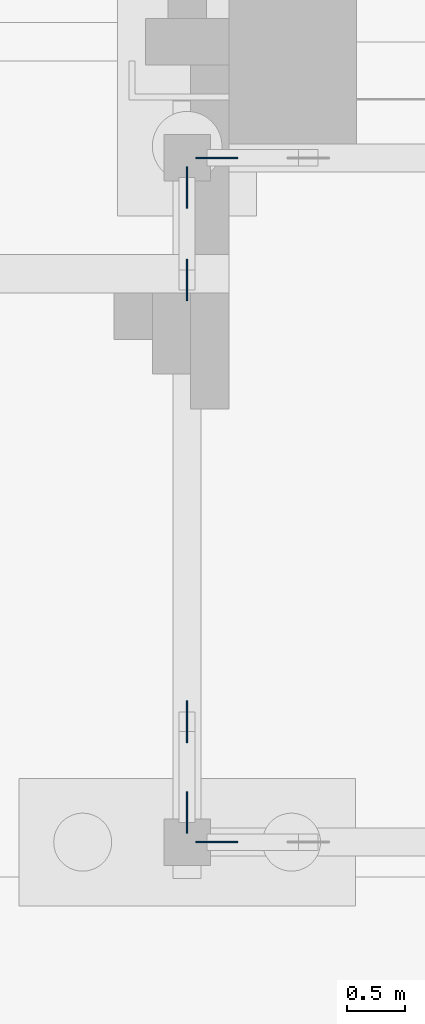
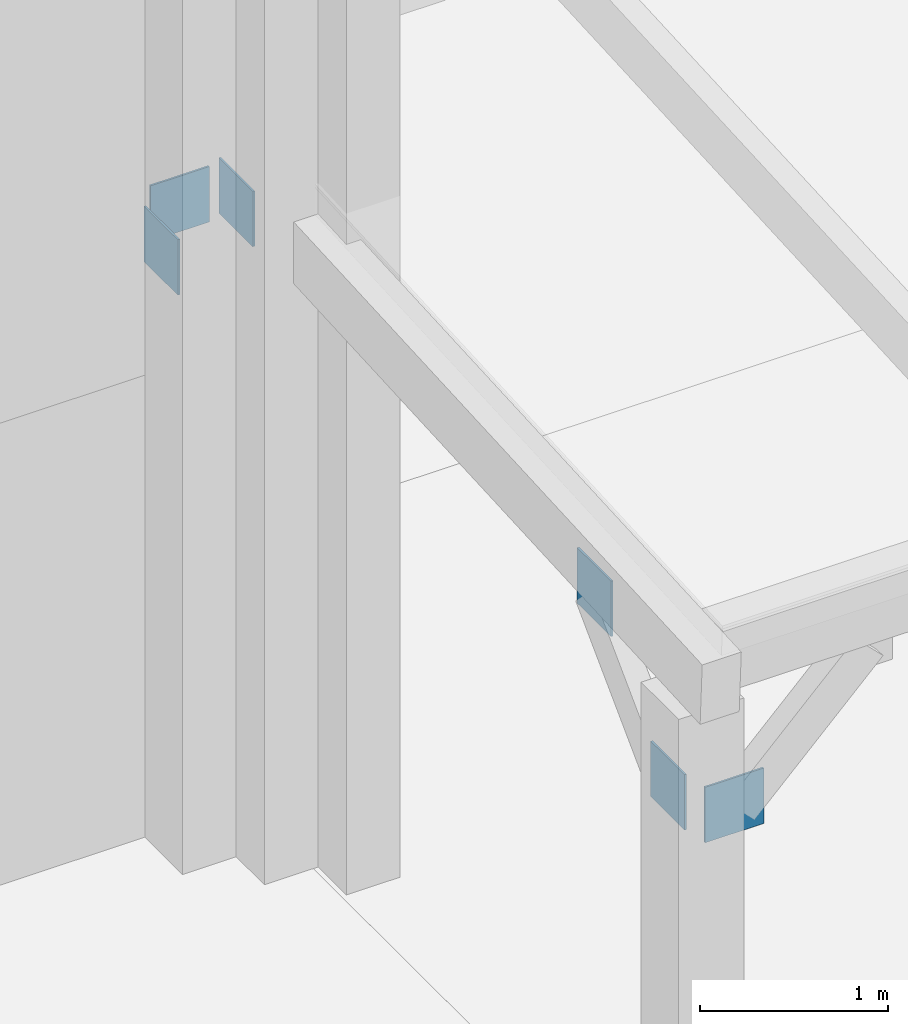
# One storey, part 45 of 84: 6 discrete accessories.
"""IFC4 building model written with IfcOpenShell, lengths in metres."""

from ifc_helpers import new_model, si_unit, direction, frame, origin, origin_2d, place, context, subcontext, project, spatial, rectangle, extrude, material, type_object, element, save


model = new_model("IFC4")

# Units and contexts
model_context = context("Model", 3, precision=1e-05, world=origin(), true_north=direction((0.0, 1.0)))
body_context = subcontext(model_context, "Body", "Model", "MODEL_VIEW")
ifc_project = project(units=[si_unit("LENGTHUNIT", "METRE"), si_unit("AREAUNIT", "SQUARE_METRE"), si_unit("VOLUMEUNIT", "CUBIC_METRE"), si_unit("PLANEANGLEUNIT", "RADIAN"), si_unit("MASSUNIT", "GRAM", prefix="KILO")], contexts=[model_context])

# Site, building, storey
site_placement = place(None, origin())
site = spatial("IfcSite", under=ifc_project, at=site_placement, CompositionType="ELEMENT")
building_placement = place(site_placement, origin())
building = spatial("IfcBuilding", under=site, at=building_placement, Name="Mazhai Court Health Centre", CompositionType="ELEMENT")
storey_placement = place(building_placement, origin())
storey = spatial("IfcBuildingStorey", under=building, at=storey_placement, Name="L00", CompositionType="ELEMENT", Elevation=0.0)

# Discrete accessories
ifc_material = material(Name="Steel IS 2062 E250", Category="steel")
discrete_accessory_type = type_object("IfcDiscreteAccessoryType", Name="TRUSS NODE PLATE 12", PredefinedType="BRACKET", material=ifc_material)
for number, where, z_axis, x_axis, name in (
    (1, (64.054931640625, 6.5, 2.59130859375), (0.0, 0.0, 1.0), (1.0, 0.0, 0.0), "Node plate brace-AR-L00-f00p end a"),
    (2, (64.054931640625, 12.39990234375, 2.91943359375), (0.0, 0.0, 1.0), (1.0, 0.0, 0.0), "Node plate brace-AR-L00-r00p end a"),
):
    element("IfcDiscreteAccessory", number, at=place(storey_placement, frame(where, z_axis=z_axis, x_axis=x_axis)), inside=storey, type_object=discrete_accessory_type, Name=name, PredefinedType="BRACKET", context=body_context, shape_type="SweptSolid", body=[
        extrude(rectangle(XDim=0.360107421875, YDim=0.011962890625, at=origin_2d()), origin(), (0.0, 0.0, 1.0), 0.360107421875),
    ])
for number, where, z_axis, x_axis, name in (
    (3, (63.800048828125, 6.7548828125, 2.65234375), (0.0, 0.0, 1.0), (1.0, 0.0, 0.0), "Node plate brace-AR-L00-f00y end a"),
    (4, (63.800048828125, 7.537109375, 3.4345703125), (0.0, 0.0, 1.0), (1.0, 0.0, 0.0), "Node plate brace-AR-L00-f00y end b"),
    (5, (63.800048828125, 12.14501953125, 2.85791015625), (0.0, 0.0, 1.0), (1.0, 0.0, 0.0), "Node plate brace-AR-L00-r00y end a"),
    (6, (63.800048828125, 11.347412109375, 3.65576171875), (0.0, 0.0, 1.0), (1.0, 0.0, 0.0), "Node plate brace-AR-L00-r00y end b"),
):
    element("IfcDiscreteAccessory", number, at=place(storey_placement, frame(where, z_axis=z_axis, x_axis=x_axis)), inside=storey, type_object=discrete_accessory_type, Name=name, PredefinedType="BRACKET", context=body_context, shape_type="SweptSolid", body=[
        extrude(rectangle(XDim=0.011962890625, YDim=0.360107421875, at=origin_2d()), origin(), (0.0, 0.0, 1.0), 0.360107421875),
    ])

save(model, "model.ifc")
